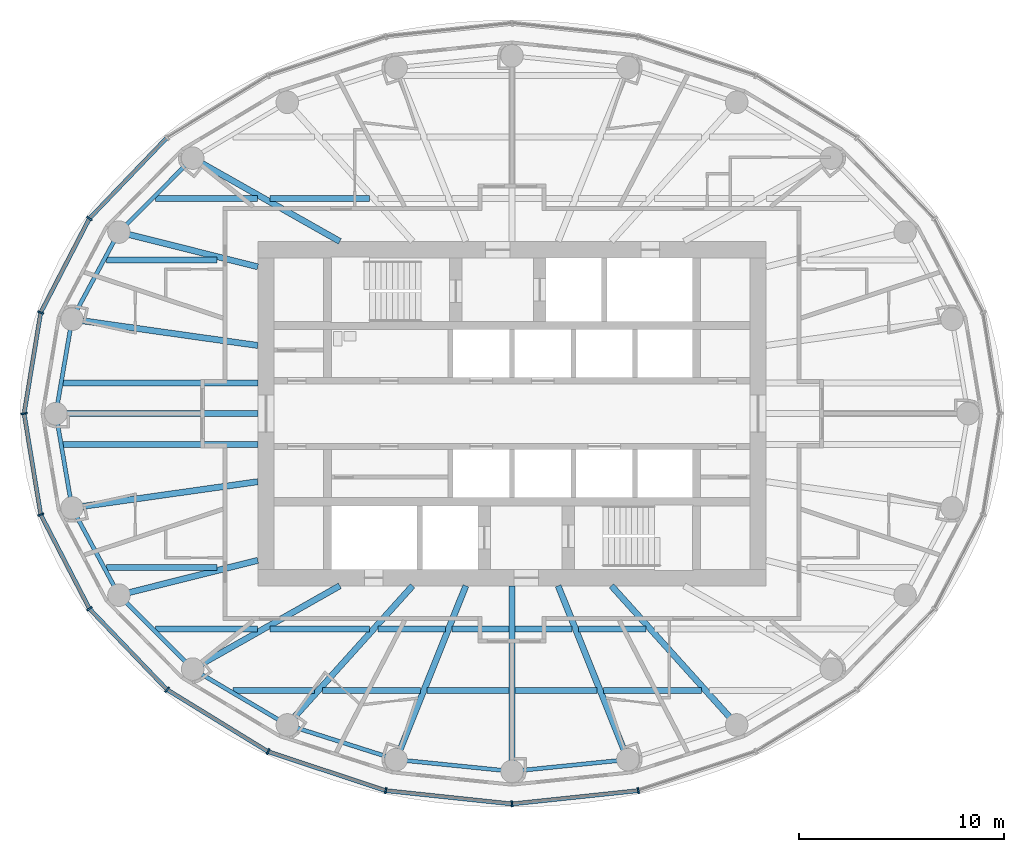
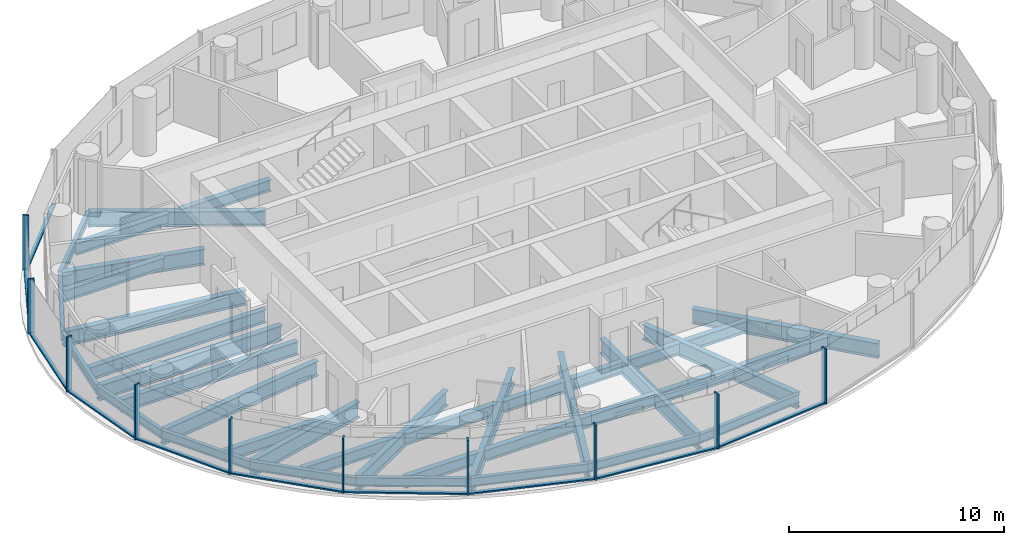
# One storey, part 2 of 16: 39 beams, 20 members, 3 elements without a shape of their own.
"""IFC4 building model written with IfcOpenShell, lengths in metres."""

from ifc_helpers import new_model, si_unit, direction, frame, origin, origin_2d, place, context, subcontext, project, spatial, rectangle, i_section, extrude, material, material_profile, profile_set, type_object, element, aggregate, save


model = new_model("IFC4")

# Units and contexts
model_context = context("Model", 3, precision=1e-05, world=origin(), true_north=direction((0.0, 1.0)))
body_context = subcontext(model_context, "Body", "Model", "MODEL_VIEW")
ifc_project = project(units=[si_unit("LENGTHUNIT", "METRE"), si_unit("AREAUNIT", "SQUARE_METRE"), si_unit("VOLUMEUNIT", "CUBIC_METRE"), si_unit("PLANEANGLEUNIT", "RADIAN"), si_unit("MASSUNIT", "GRAM", prefix="KILO")], contexts=[model_context])

# Site, building, storey
site_placement = place(None, origin())
site = spatial("IfcSite", under=ifc_project, at=site_placement, CompositionType="ELEMENT")
building_placement = place(site_placement, origin())
building = spatial("IfcBuilding", under=site, at=building_placement, Name="Hankou Lantern Tower", CompositionType="ELEMENT")
storey_placement = place(building_placement, frame((0.0, 0.0, 146.699951171875)))
storey = spatial("IfcBuildingStorey", under=building, at=storey_placement, Name="L38", CompositionType="ELEMENT", Elevation=146.699951171875)

# Beams
ifc_material_1 = material(Name="Steel Q355B", Category="steel")
ifc_material_profile_1 = material_profile(ifc_material_1, i_section(OverallWidth=0.199951171875, OverallDepth=0.5, WebThickness=0.010009765625, FlangeThickness=0.01611328125, FilletRadius=0.012939453125, at=origin_2d()), Name="HN500x200x10x16")
ifc_profile_set_1 = profile_set([ifc_material_profile_1], Name="Steel Q355B")
beam_type_1 = type_object("IfcBeamType", Name="EB5 RING BEAM HN500x200x10x16", PredefinedType="SPANDREL", material=ifc_profile_set_1)
beam_1_placement = place(storey_placement, frame((-15.576171875, 12.4609375, -0.429931640625), z_axis=(-0.706147278092, -0.708064984054, 0.0), x_axis=(0.708064984054, -0.706147278092, 0.0)))
element("IfcBeam", 1, at=beam_1_placement, inside=storey, type_object=beam_type_1, Name="Ring beam R10-R11 L38", PredefinedType="SPANDREL", context=body_context, shape_type="SweptSolid", body=[
    extrude(i_section(OverallWidth=0.199951171875, OverallDepth=0.5, WebThickness=0.010009765625, FlangeThickness=0.01611328125, FilletRadius=0.012939453125, at=origin_2d()), origin(), (0.0, 0.0, 1.0), 5.09228515625),
])
beam_2_placement = place(storey_placement, frame((-19.172119140625, 8.855224609375, -0.429931640625), z_axis=(-0.474051612334, -0.880497057828, 0.0), x_axis=(0.880497057828, -0.474051612334, 0.0)))
element("IfcBeam", 2, at=beam_2_placement, inside=storey, type_object=beam_type_1, Name="Ring beam R11-R12 L38", PredefinedType="SPANDREL", context=body_context, shape_type="SweptSolid", body=[
    extrude(i_section(OverallWidth=0.199951171875, OverallDepth=0.5, WebThickness=0.010009765625, FlangeThickness=0.01611328125, FilletRadius=0.012939453125, at=origin_2d()), origin(), (0.0, 0.0, 1.0), 4.831787109375),
])
for number, where, z_axis, x_axis, name in (
    (3, (-21.462646484375, 4.600830078125, -0.429931640625), (-0.168680718946, -0.985670743735, 0.0), (0.985670743735, -0.168680718946, 0.0), "Ring beam R12-R13 L38"),
    (4, (-22.25, 0.0, -0.429931640625), (0.168680718946, -0.985670743735, 0.0), (0.985670743735, 0.168680718946, 0.0), "Ring beam R13-R14 L38"),
):
    element("IfcBeam", number, at=place(storey_placement, frame(where, z_axis=z_axis, x_axis=x_axis)), inside=storey, type_object=beam_type_1, Name=name, PredefinedType="SPANDREL", context=body_context, shape_type="SweptSolid", body=[
        extrude(i_section(OverallWidth=0.199951171875, OverallDepth=0.5, WebThickness=0.010009765625, FlangeThickness=0.01611328125, FilletRadius=0.012939453125, at=origin_2d()), origin(), (0.0, 0.0, 1.0), 4.667724609375),
    ])
beam_3_placement = place(storey_placement, frame((-21.462646484375, -4.600830078125, -0.429931640625), z_axis=(0.474051612334, -0.880497057828, 0.0), x_axis=(0.880497057828, 0.474051612334, 0.0)))
element("IfcBeam", 5, at=beam_3_placement, inside=storey, type_object=beam_type_1, Name="Ring beam R14-R15 L38", PredefinedType="SPANDREL", context=body_context, shape_type="SweptSolid", body=[
    extrude(i_section(OverallWidth=0.199951171875, OverallDepth=0.5, WebThickness=0.010009765625, FlangeThickness=0.01611328125, FilletRadius=0.012939453125, at=origin_2d()), origin(), (0.0, 0.0, 1.0), 4.831787109375),
])
beam_4_placement = place(storey_placement, frame((-19.172119140625, -8.855224609375, -0.429931640625), z_axis=(0.706147278092, -0.708064984054, 0.0), x_axis=(0.708064984054, 0.706147278092, 0.0)))
element("IfcBeam", 6, at=beam_4_placement, inside=storey, type_object=beam_type_1, Name="Ring beam R15-R16 L38", PredefinedType="SPANDREL", context=body_context, shape_type="SweptSolid", body=[
    extrude(i_section(OverallWidth=0.199951171875, OverallDepth=0.5, WebThickness=0.010009765625, FlangeThickness=0.01611328125, FilletRadius=0.012939453125, at=origin_2d()), origin(), (0.0, 0.0, 1.0), 5.09228515625),
])
beam_5_placement = place(storey_placement, frame((-15.576171875, -12.4609375, -0.429931640625), z_axis=(0.861135888339, -0.508374843806, 0.0), x_axis=(0.508374843806, 0.861135888339, 0.0)))
element("IfcBeam", 7, at=beam_5_placement, inside=storey, type_object=beam_type_1, Name="Ring beam R16-R17 L38", PredefinedType="SPANDREL", context=body_context, shape_type="SweptSolid", body=[
    extrude(i_section(OverallWidth=0.199951171875, OverallDepth=0.5, WebThickness=0.010009765625, FlangeThickness=0.01611328125, FilletRadius=0.012939453125, at=origin_2d()), origin(), (0.0, 0.0, 1.0), 5.36083984375),
])
beam_6_placement = place(storey_placement, frame((-10.959716796875, -15.186279296875, -0.429931640625), z_axis=(0.952790404271, -0.30362879562, 0.0), x_axis=(0.30362879562, 0.952790404271, 0.0)))
element("IfcBeam", 8, at=beam_6_placement, inside=storey, type_object=beam_type_1, Name="Ring beam R17-R18 L38", PredefinedType="SPANDREL", context=body_context, shape_type="SweptSolid", body=[
    extrude(i_section(OverallWidth=0.199951171875, OverallDepth=0.5, WebThickness=0.010009765625, FlangeThickness=0.01611328125, FilletRadius=0.012939453125, at=origin_2d()), origin(), (0.0, 0.0, 1.0), 5.56982421875),
])
for number, where, z_axis, x_axis, name in (
    (9, (-5.65283203125, -16.87744140625, -0.429931640625), (0.9949104636, -0.100762936734, 0.0), (0.100762936734, 0.9949104636, 0.0), "Ring beam R18-R19 L38"),
    (10, (0.0, -17.449951171875, -0.429931640625), (0.9949104636, 0.100762936734, 0.0), (-0.100762936734, 0.9949104636, 0.0), "Ring beam R19-R20 L38"),
):
    element("IfcBeam", number, at=place(storey_placement, frame(where, z_axis=z_axis, x_axis=x_axis)), inside=storey, type_object=beam_type_1, Name=name, PredefinedType="SPANDREL", context=body_context, shape_type="SweptSolid", body=[
        extrude(i_section(OverallWidth=0.199951171875, OverallDepth=0.5, WebThickness=0.010009765625, FlangeThickness=0.01611328125, FilletRadius=0.012939453125, at=origin_2d()), origin(), (0.0, 0.0, 1.0), 5.681640625),
    ])

# Curtain wall, members
ifc_material_2 = material(Name="Glass, dark grey tinted laminated", Category="glass")
curtain_wall_type = type_object("IfcCurtainWallType", Name="CWC OUTER SKIN HIGH-RISE", PredefinedType="USERDEFINED", material=ifc_material_2)
curtain_wall_1_placement = place(storey_placement, origin())
curtain_wall_1 = element("IfcCurtainWall", 11, at=curtain_wall_1_placement, inside=storey, type_object=curtain_wall_type, Name="CWC L38 OS2", ObjectType="OUTER SKIN HIGH-RISE", PredefinedType="USERDEFINED")
ifc_material_3 = material(Name="Aluminium, black anodised", Category="aluminium")
ifc_material_profile_2 = material_profile(ifc_material_3, rectangle(XDim=0.080078125, YDim=0.300048828125, at=origin_2d()), Name="MU1 80X300")
ifc_profile_set_2 = profile_set([ifc_material_profile_2], Name="Aluminium, black anodised")
member_type_1 = type_object("IfcMemberType", Name="MU1 OUTER SKIN MULLION 80X300", PredefinedType="MULLION", material=ifc_profile_set_2)
member_1_placement = place(storey_placement, frame((-20.611328125, 9.52001953125, 0.0), z_axis=(0.0, 0.0, 1.0), x_axis=(-0.585205735974, -0.810884854084, 0.0)))
member_1 = element("IfcMember", 12, at=member_1_placement, type_object=member_type_1, Name="CWC mullion 5", PredefinedType="MULLION", context=body_context, shape_type="SweptSolid", body=[
    extrude(rectangle(XDim=0.080078125, YDim=0.300048828125, at=origin_2d()), origin(), (0.0, 0.0, 1.0), 3.1201171875),
])
member_2_placement = place(storey_placement, frame((-22.989013671875, 4.927978515625, 0.0), z_axis=(0.0, 0.0, 1.0), x_axis=(-0.317595577365, -0.94822626479, 0.0)))
member_2 = element("IfcMember", 13, at=member_2_placement, type_object=member_type_1, Name="CWC mullion 6", PredefinedType="MULLION", context=body_context, shape_type="SweptSolid", body=[
    extrude(rectangle(XDim=0.080078125, YDim=0.300048828125, at=origin_2d()), origin(), (0.0, 0.0, 1.0), 3.1201171875),
])

curtain_wall_2_placement = place(storey_placement, origin())
curtain_wall_2 = element("IfcCurtainWall", 14, at=curtain_wall_2_placement, inside=storey, type_object=curtain_wall_type, Name="CWC L38 OS3", ObjectType="OUTER SKIN HIGH-RISE", PredefinedType="USERDEFINED")
member_3_placement = place(storey_placement, frame((-23.800048828125, 0.0, 0.0), z_axis=(0.0, 0.0, 1.0), x_axis=(0.162381515188, -0.986728049427, 0.0)))
member_3 = element("IfcMember", 15, at=member_3_placement, type_object=member_type_1, Name="CWC mullion 1", PredefinedType="MULLION", context=body_context, shape_type="SweptSolid", body=[
    extrude(rectangle(XDim=0.080078125, YDim=0.300048828125, at=origin_2d()), origin(), (0.0, 0.0, 1.0), 3.1201171875),
])
member_4_placement = place(storey_placement, frame((-22.989013671875, -4.927978515625, 0.0), z_axis=(0.0, 0.0, 1.0), x_axis=(0.317595577365, -0.94822626479, 0.0)))
member_4 = element("IfcMember", 16, at=member_4_placement, type_object=member_type_1, Name="CWC mullion 2", PredefinedType="MULLION", context=body_context, shape_type="SweptSolid", body=[
    extrude(rectangle(XDim=0.080078125, YDim=0.300048828125, at=origin_2d()), origin(), (0.0, 0.0, 1.0), 3.1201171875),
])
member_5_placement = place(storey_placement, frame((-20.611328125, -9.52001953125, 0.0), z_axis=(0.0, 0.0, 1.0), x_axis=(0.585205735974, -0.810884854084, 0.0)))
member_5 = element("IfcMember", 17, at=member_5_placement, type_object=member_type_1, Name="CWC mullion 3", PredefinedType="MULLION", context=body_context, shape_type="SweptSolid", body=[
    extrude(rectangle(XDim=0.080078125, YDim=0.300048828125, at=origin_2d()), origin(), (0.0, 0.0, 1.0), 3.1201171875),
])
member_6_placement = place(storey_placement, frame((-16.8291015625, -13.46337890625, 0.0), z_axis=(0.0, 0.0, 1.0), x_axis=(0.780868809444, -0.624695047553, 0.0)))
member_6 = element("IfcMember", 18, at=member_6_placement, type_object=member_type_1, Name="CWC mullion 4", PredefinedType="MULLION", context=body_context, shape_type="SweptSolid", body=[
    extrude(rectangle(XDim=0.080078125, YDim=0.300048828125, at=origin_2d()), origin(), (0.0, 0.0, 1.0), 3.1201171875),
])
member_7_placement = place(storey_placement, frame((-11.89990234375, -16.489013671875, 0.0), z_axis=(0.0, 0.0, 1.0), x_axis=(0.907841299004, -0.419313934686, 0.0)))
member_7 = element("IfcMember", 19, at=member_7_placement, type_object=member_type_1, Name="CWC mullion 5", PredefinedType="MULLION", context=body_context, shape_type="SweptSolid", body=[
    extrude(rectangle(XDim=0.080078125, YDim=0.300048828125, at=origin_2d()), origin(), (0.0, 0.0, 1.0), 3.1201171875),
])
member_8_placement = place(storey_placement, frame((-6.159912109375, -18.39111328125, 0.0), z_axis=(0.0, 0.0, 1.0), x_axis=(0.977787659625, -0.209597931016, 0.0)))
member_8 = element("IfcMember", 20, at=member_8_placement, type_object=member_type_1, Name="CWC mullion 6", PredefinedType="MULLION", context=body_context, shape_type="SweptSolid", body=[
    extrude(rectangle(XDim=0.080078125, YDim=0.300048828125, at=origin_2d()), origin(), (0.0, 0.0, 1.0), 3.1201171875),
])

curtain_wall_3_placement = place(storey_placement, origin())
curtain_wall_3 = element("IfcCurtainWall", 21, at=curtain_wall_3_placement, inside=storey, type_object=curtain_wall_type, Name="CWC L38 OS4", ObjectType="OUTER SKIN HIGH-RISE", PredefinedType="USERDEFINED")
member_9_placement = place(storey_placement, frame((0.0, -19.0400390625, 0.0), z_axis=(0.0, 0.0, 1.0), x_axis=(0.994499359107, 0.104742659579, 0.0)))
member_9 = element("IfcMember", 22, at=member_9_placement, type_object=member_type_1, Name="CWC mullion 1", PredefinedType="MULLION", context=body_context, shape_type="SweptSolid", body=[
    extrude(rectangle(XDim=0.080078125, YDim=0.300048828125, at=origin_2d()), origin(), (0.0, 0.0, 1.0), 3.1201171875),
])
member_10_placement = place(storey_placement, frame((6.159912109375, -18.39111328125, 0.0), z_axis=(0.0, 0.0, 1.0), x_axis=(0.977787659625, 0.209597931016, 0.0)))
member_10 = element("IfcMember", 23, at=member_10_placement, type_object=member_type_1, Name="CWC mullion 2", PredefinedType="MULLION", context=body_context, shape_type="SweptSolid", body=[
    extrude(rectangle(XDim=0.080078125, YDim=0.300048828125, at=origin_2d()), origin(), (0.0, 0.0, 1.0), 3.1201171875),
])

# Beams
ifc_material_4 = material(Name="Steel Q355B", Category="steel")
ifc_material_profile_3 = material_profile(ifc_material_4, i_section(OverallWidth=0.300048828125, OverallDepth=0.85009765625, WebThickness=0.01611328125, FlangeThickness=0.027099609375, FilletRadius=0.01806640625, at=origin_2d()), Name="HN850x300x16x27")
ifc_profile_set_3 = profile_set([ifc_material_profile_3], Name="Steel Q355B")
beam_type_2 = type_object("IfcBeamType", Name="RB12 RADIAL BEAM HN850x300x16x27", PredefinedType="BEAM", material=ifc_profile_set_3)
beam_7_placement = place(storey_placement, frame((-8.39990234375, 8.39990234375, -0.60498046875), z_axis=(-0.870309058024, 0.492505983234, 0.0), x_axis=(-0.492505983234, -0.870309058024, 0.0)))
element("IfcBeam", 24, at=beam_7_placement, inside=storey, type_object=beam_type_2, Name="Radial beam R10 L38", PredefinedType="BEAM", context=body_context, shape_type="SweptSolid", body=[
    extrude(i_section(OverallWidth=0.300048828125, OverallDepth=0.85009765625, WebThickness=0.01611328125, FlangeThickness=0.027099609375, FilletRadius=0.01806640625, at=origin_2d()), origin(), (0.0, 0.0, 1.0), 8.24560546875),
])
beam_8_placement = place(storey_placement, frame((-12.39990234375, 3.322509765625, -0.60498046875), z_axis=(-0.990198154617, 0.13966966239, 0.0), x_axis=(-0.13966966239, -0.990198154617, 0.0)))
element("IfcBeam", 25, at=beam_8_placement, inside=storey, type_object=beam_type_2, Name="Radial beam R12 L38", PredefinedType="BEAM", context=body_context, shape_type="SweptSolid", body=[
    extrude(i_section(OverallWidth=0.300048828125, OverallDepth=0.85009765625, WebThickness=0.01611328125, FlangeThickness=0.027099609375, FilletRadius=0.01806640625, at=origin_2d()), origin(), (0.0, 0.0, 1.0), 9.15234375),
])
beam_9_placement = place(storey_placement, frame((-12.39990234375, 0.0, -0.60498046875), z_axis=(-1.0, 0.0, 0.0), x_axis=(0.0, -1.0, 0.0)))
element("IfcBeam", 26, at=beam_9_placement, inside=storey, type_object=beam_type_2, Name="Radial beam R13 L38", PredefinedType="BEAM", context=body_context, shape_type="SweptSolid", body=[
    extrude(i_section(OverallWidth=0.300048828125, OverallDepth=0.85009765625, WebThickness=0.01611328125, FlangeThickness=0.027099609375, FilletRadius=0.01806640625, at=origin_2d()), origin(), (0.0, 0.0, 1.0), 9.85009765625),
])
beam_10_placement = place(storey_placement, frame((-12.39990234375, -3.322509765625, -0.60498046875), z_axis=(-0.990198154617, -0.13966966239, 0.0), x_axis=(0.13966966239, -0.990198154617, 0.0)))
element("IfcBeam", 27, at=beam_10_placement, inside=storey, type_object=beam_type_2, Name="Radial beam R14 L38", PredefinedType="BEAM", context=body_context, shape_type="SweptSolid", body=[
    extrude(i_section(OverallWidth=0.300048828125, OverallDepth=0.85009765625, WebThickness=0.01611328125, FlangeThickness=0.027099609375, FilletRadius=0.01806640625, at=origin_2d()), origin(), (0.0, 0.0, 1.0), 9.15234375),
])
beam_11_placement = place(storey_placement, frame((-8.39990234375, -8.39990234375, -0.60498046875), z_axis=(-0.870309058024, -0.492505983234, 0.0), x_axis=(0.492505983234, -0.870309058024, 0.0)))
element("IfcBeam", 28, at=beam_11_placement, inside=storey, type_object=beam_type_2, Name="Radial beam R16 L38", PredefinedType="BEAM", context=body_context, shape_type="SweptSolid", body=[
    extrude(i_section(OverallWidth=0.300048828125, OverallDepth=0.85009765625, WebThickness=0.01611328125, FlangeThickness=0.027099609375, FilletRadius=0.01806640625, at=origin_2d()), origin(), (0.0, 0.0, 1.0), 8.24560546875),
])
beam_12_placement = place(storey_placement, frame((-4.849853515625, -8.39990234375, -0.60498046875), z_axis=(-0.669093231314, -0.743178476418, 0.0), x_axis=(0.743178476418, -0.669093231314, 0.0)))
element("IfcBeam", 29, at=beam_12_placement, inside=storey, type_object=beam_type_2, Name="Radial beam R17 L38", PredefinedType="BEAM", context=body_context, shape_type="SweptSolid", body=[
    extrude(i_section(OverallWidth=0.300048828125, OverallDepth=0.85009765625, WebThickness=0.01611328125, FlangeThickness=0.027099609375, FilletRadius=0.01806640625, at=origin_2d()), origin(), (0.0, 0.0, 1.0), 9.131591796875),
])
beam_13_placement = place(storey_placement, frame((-2.250732421875, -8.39990234375, -0.60498046875), z_axis=(-0.372436468133, -0.928057690666, 0.0), x_axis=(0.928057690666, -0.372436468133, 0.0)))
element("IfcBeam", 30, at=beam_13_placement, inside=storey, type_object=beam_type_2, Name="Radial beam R18 L38", PredefinedType="BEAM", context=body_context, shape_type="SweptSolid", body=[
    extrude(i_section(OverallWidth=0.300048828125, OverallDepth=0.85009765625, WebThickness=0.01611328125, FlangeThickness=0.027099609375, FilletRadius=0.01806640625, at=origin_2d()), origin(), (0.0, 0.0, 1.0), 9.134765625),
])
beam_14_placement = place(storey_placement, frame((0.0, -8.39990234375, -0.60498046875), z_axis=(0.0, -1.0, 0.0), x_axis=(1.0, 0.0, 0.0)))
element("IfcBeam", 31, at=beam_14_placement, inside=storey, type_object=beam_type_2, Name="Radial beam R19 L38", PredefinedType="BEAM", context=body_context, shape_type="SweptSolid", body=[
    extrude(i_section(OverallWidth=0.300048828125, OverallDepth=0.85009765625, WebThickness=0.01611328125, FlangeThickness=0.027099609375, FilletRadius=0.01806640625, at=origin_2d()), origin(), (0.0, 0.0, 1.0), 9.050048828125),
])
beam_15_placement = place(storey_placement, frame((2.250732421875, -8.39990234375, -0.60498046875), z_axis=(0.372436468133, -0.928057690666, 0.0), x_axis=(0.928057690666, 0.372436468133, 0.0)))
element("IfcBeam", 32, at=beam_15_placement, inside=storey, type_object=beam_type_2, Name="Radial beam R20 L38", PredefinedType="BEAM", context=body_context, shape_type="SweptSolid", body=[
    extrude(i_section(OverallWidth=0.300048828125, OverallDepth=0.85009765625, WebThickness=0.01611328125, FlangeThickness=0.027099609375, FilletRadius=0.01806640625, at=origin_2d()), origin(), (0.0, 0.0, 1.0), 9.134765625),
])
beam_16_placement = place(storey_placement, frame((4.849853515625, -8.39990234375, -0.60498046875), z_axis=(0.669093231314, -0.743178476418, 0.0), x_axis=(0.743178476418, 0.669093231314, 0.0)))
element("IfcBeam", 33, at=beam_16_placement, inside=storey, type_object=beam_type_2, Name="Radial beam R21 L38", PredefinedType="BEAM", context=body_context, shape_type="SweptSolid", body=[
    extrude(i_section(OverallWidth=0.300048828125, OverallDepth=0.85009765625, WebThickness=0.01611328125, FlangeThickness=0.027099609375, FilletRadius=0.01806640625, at=origin_2d()), origin(), (0.0, 0.0, 1.0), 9.131591796875),
])
ifc_material_5 = material(Name="Steel Q355B", Category="steel")
ifc_material_profile_4 = material_profile(ifc_material_5, i_section(OverallWidth=0.300048828125, OverallDepth=0.89990234375, WebThickness=0.01611328125, FlangeThickness=0.028076171875, FilletRadius=0.01806640625, at=origin_2d()), Name="HN900x300x16x28")
ifc_profile_set_4 = profile_set([ifc_material_profile_4], Name="Steel Q355B")
beam_type_3 = type_object("IfcBeamType", Name="RB13 RADIAL BEAM HN900x300x16x28", PredefinedType="BEAM", material=ifc_profile_set_4)
for number, where, z_axis, x_axis, name in (
    (34, (-12.39990234375, 7.1591796875, -0.6298828125), (-0.970041619568, 0.242938791274, 0.0), (-0.242938791274, -0.970041619568, 0.0), "Radial beam R11 L38"),
    (35, (-12.39990234375, -7.1591796875, -0.6298828125), (-0.970041619568, -0.242938791274, 0.0), (0.242938791274, -0.970041619568, 0.0), "Radial beam R15 L38"),
):
    element("IfcBeam", number, at=place(storey_placement, frame(where, z_axis=z_axis, x_axis=x_axis)), inside=storey, type_object=beam_type_3, Name=name, PredefinedType="BEAM", context=body_context, shape_type="SweptSolid", body=[
        extrude(i_section(OverallWidth=0.300048828125, OverallDepth=0.89990234375, WebThickness=0.01611328125, FlangeThickness=0.028076171875, FilletRadius=0.01806640625, at=origin_2d()), origin(), (0.0, 0.0, 1.0), 6.9814453125),
    ])
ifc_material_6 = material(Name="Steel Q355B", Category="steel")
ifc_material_profile_5 = material_profile(ifc_material_6, i_section(OverallWidth=0.300048828125, OverallDepth=0.75, WebThickness=0.012939453125, FlangeThickness=0.02392578125, FilletRadius=0.01806640625, at=origin_2d()), Name="HN750x300x13x24")
ifc_profile_set_5 = profile_set([ifc_material_profile_5], Name="Steel Q355B")
beam_type_4 = type_object("IfcBeamType", Name="SB10 SECONDARY BEAM HN750x300x13x24", PredefinedType="JOIST", material=ifc_profile_set_5)
for number, where, z_axis, x_axis, name in (
    (36, (-21.891845703125, -1.5, -0.554931640625), (1.0, 0.0, 0.0), (0.0, 1.0, 0.0), "Floor joist J019 L38"),
    (37, (-21.891845703125, 1.5, -0.554931640625), (1.0, 0.0, 0.0), (0.0, 1.0, 0.0), "Floor joist J021 L38"),
):
    element("IfcBeam", number, at=place(storey_placement, frame(where, z_axis=z_axis, x_axis=x_axis)), inside=storey, type_object=beam_type_4, Name=name, PredefinedType="JOIST", context=body_context, shape_type="SweptSolid", body=[
        extrude(i_section(OverallWidth=0.300048828125, OverallDepth=0.75, WebThickness=0.012939453125, FlangeThickness=0.02392578125, FilletRadius=0.01806640625, at=origin_2d()), origin(), (0.0, 0.0, 1.0), 9.491943359375),
    ])
ifc_material_7 = material(Name="Steel Q355B", Category="steel")
ifc_material_profile_6 = material_profile(ifc_material_7, i_section(OverallWidth=0.300048828125, OverallDepth=0.64990234375, WebThickness=0.010986328125, FlangeThickness=0.01708984375, FilletRadius=0.01806640625, at=origin_2d()), Name="HN650x300x11x17")
ifc_profile_set_6 = profile_set([ifc_material_profile_6], Name="Steel Q355B")
beam_type_5 = type_object("IfcBeamType", Name="SB8 SECONDARY BEAM HN650x300x11x17", PredefinedType="JOIST", material=ifc_profile_set_6)
beam_17_placement = place(storey_placement, frame((-13.619384765625, -13.5, -0.5048828125), z_axis=(1.0, 0.0, 0.0), x_axis=(0.0, 1.0, 0.0)))
element("IfcBeam", 38, at=beam_17_placement, inside=storey, type_object=beam_type_5, Name="Floor joist J001 L38", PredefinedType="JOIST", context=body_context, shape_type="SweptSolid", body=[
    extrude(i_section(OverallWidth=0.300048828125, OverallDepth=0.64990234375, WebThickness=0.010986328125, FlangeThickness=0.01708984375, FilletRadius=0.01806640625, at=origin_2d()), origin(), (0.0, 0.0, 1.0), 3.97607421875),
])
beam_18_placement = place(storey_placement, frame((-9.23974609375, -13.5, -0.5048828125), z_axis=(1.0, 0.0, 0.0), x_axis=(0.0, 1.0, 0.0)))
element("IfcBeam", 39, at=beam_18_placement, inside=storey, type_object=beam_type_5, Name="Floor joist J002 L38", PredefinedType="JOIST", context=body_context, shape_type="SweptSolid", body=[
    extrude(i_section(OverallWidth=0.300048828125, OverallDepth=0.64990234375, WebThickness=0.010986328125, FlangeThickness=0.01708984375, FilletRadius=0.01806640625, at=origin_2d()), origin(), (0.0, 0.0, 1.0), 4.780517578125),
])
for number, where, z_axis, x_axis, name in (
    (40, (-4.135986328125, -13.5, -0.5048828125), (1.0, 0.0, 0.0), (0.0, 1.0, 0.0), "Floor joist J003 L38"),
    (41, (0.14990234375, -13.5, -0.5048828125), (1.0, 0.0, 0.0), (0.0, 1.0, 0.0), "Floor joist J004 L38"),
):
    element("IfcBeam", number, at=place(storey_placement, frame(where, z_axis=z_axis, x_axis=x_axis)), inside=storey, type_object=beam_type_5, Name=name, PredefinedType="JOIST", context=body_context, shape_type="SweptSolid", body=[
        extrude(i_section(OverallWidth=0.300048828125, OverallDepth=0.64990234375, WebThickness=0.010986328125, FlangeThickness=0.01708984375, FilletRadius=0.01806640625, at=origin_2d()), origin(), (0.0, 0.0, 1.0), 3.986083984375),
    ])
beam_19_placement = place(storey_placement, frame((4.459228515625, -13.5, -0.5048828125), z_axis=(1.0, 0.0, 0.0), x_axis=(0.0, 1.0, 0.0)))
element("IfcBeam", 42, at=beam_19_placement, inside=storey, type_object=beam_type_5, Name="Floor joist J005 L38", PredefinedType="JOIST", context=body_context, shape_type="SweptSolid", body=[
    extrude(i_section(OverallWidth=0.300048828125, OverallDepth=0.64990234375, WebThickness=0.010986328125, FlangeThickness=0.01708984375, FilletRadius=0.01806640625, at=origin_2d()), origin(), (0.0, 0.0, 1.0), 4.780517578125),
])
beam_20_placement = place(storey_placement, frame((-17.390625, -10.5, -0.5048828125), z_axis=(1.0, 0.0, 0.0), x_axis=(0.0, 1.0, 0.0)))
element("IfcBeam", 43, at=beam_20_placement, inside=storey, type_object=beam_type_5, Name="Floor joist J007 L38", PredefinedType="JOIST", context=body_context, shape_type="SweptSolid", body=[
    extrude(i_section(OverallWidth=0.300048828125, OverallDepth=0.64990234375, WebThickness=0.010986328125, FlangeThickness=0.01708984375, FilletRadius=0.01806640625, at=origin_2d()), origin(), (0.0, 0.0, 1.0), 4.97509765625),
])
beam_21_placement = place(storey_placement, frame((-11.806396484375, -10.5, -0.5048828125), z_axis=(1.0, 0.0, 0.0), x_axis=(0.0, 1.0, 0.0)))
element("IfcBeam", 44, at=beam_21_placement, inside=storey, type_object=beam_type_5, Name="Floor joist J008 L38", PredefinedType="JOIST", context=body_context, shape_type="SweptSolid", body=[
    extrude(i_section(OverallWidth=0.300048828125, OverallDepth=0.64990234375, WebThickness=0.010986328125, FlangeThickness=0.01708984375, FilletRadius=0.01806640625, at=origin_2d()), origin(), (0.0, 0.0, 1.0), 4.864013671875),
])
beam_22_placement = place(storey_placement, frame((-6.53857421875, -10.5, -0.5048828125), z_axis=(1.0, 0.0, 0.0), x_axis=(0.0, 1.0, 0.0)))
element("IfcBeam", 45, at=beam_22_placement, inside=storey, type_object=beam_type_5, Name="Floor joist J009 L38", PredefinedType="JOIST", context=body_context, shape_type="SweptSolid", body=[
    extrude(i_section(OverallWidth=0.300048828125, OverallDepth=0.64990234375, WebThickness=0.010986328125, FlangeThickness=0.01708984375, FilletRadius=0.01806640625, at=origin_2d()), origin(), (0.0, 0.0, 1.0), 3.283447265625),
])
for number, where, z_axis, x_axis, name in (
    (46, (-2.931884765625, -10.5, -0.5048828125), (1.0, 0.0, 0.0), (0.0, 1.0, 0.0), "Floor joist J010 L38"),
    (47, (0.14990234375, -10.5, -0.5048828125), (1.0, 0.0, 0.0), (0.0, 1.0, 0.0), "Floor joist J011 L38"),
):
    element("IfcBeam", number, at=place(storey_placement, frame(where, z_axis=z_axis, x_axis=x_axis)), inside=storey, type_object=beam_type_5, Name=name, PredefinedType="JOIST", context=body_context, shape_type="SweptSolid", body=[
        extrude(i_section(OverallWidth=0.300048828125, OverallDepth=0.64990234375, WebThickness=0.010986328125, FlangeThickness=0.01708984375, FilletRadius=0.01806640625, at=origin_2d()), origin(), (0.0, 0.0, 1.0), 2.781982421875),
    ])
beam_23_placement = place(storey_placement, frame((3.255126953125, -10.5, -0.5048828125), z_axis=(1.0, 0.0, 0.0), x_axis=(0.0, 1.0, 0.0)))
element("IfcBeam", 48, at=beam_23_placement, inside=storey, type_object=beam_type_5, Name="Floor joist J012 L38", PredefinedType="JOIST", context=body_context, shape_type="SweptSolid", body=[
    extrude(i_section(OverallWidth=0.300048828125, OverallDepth=0.64990234375, WebThickness=0.010986328125, FlangeThickness=0.01708984375, FilletRadius=0.01806640625, at=origin_2d()), origin(), (0.0, 0.0, 1.0), 3.283447265625),
])
for number, where, z_axis, x_axis, name in (
    (49, (-19.788330078125, -7.5, -0.5048828125), (1.0, 0.0, 0.0), (0.0, 1.0, 0.0), "Floor joist J015 L38"),
    (50, (-19.788330078125, 7.5, -0.5048828125), (1.0, 0.0, 0.0), (0.0, 1.0, 0.0), "Floor joist J025 L38"),
):
    element("IfcBeam", number, at=place(storey_placement, frame(where, z_axis=z_axis, x_axis=x_axis)), inside=storey, type_object=beam_type_5, Name=name, PredefinedType="JOIST", context=body_context, shape_type="SweptSolid", body=[
        extrude(i_section(OverallWidth=0.300048828125, OverallDepth=0.64990234375, WebThickness=0.010986328125, FlangeThickness=0.01708984375, FilletRadius=0.01806640625, at=origin_2d()), origin(), (0.0, 0.0, 1.0), 5.409912109375),
    ])
beam_24_placement = place(storey_placement, frame((-17.390625, 10.5, -0.5048828125), z_axis=(1.0, 0.0, 0.0), x_axis=(0.0, 1.0, 0.0)))
element("IfcBeam", 51, at=beam_24_placement, inside=storey, type_object=beam_type_5, Name="Floor joist J027 L38", PredefinedType="JOIST", context=body_context, shape_type="SweptSolid", body=[
    extrude(i_section(OverallWidth=0.300048828125, OverallDepth=0.64990234375, WebThickness=0.010986328125, FlangeThickness=0.01708984375, FilletRadius=0.01806640625, at=origin_2d()), origin(), (0.0, 0.0, 1.0), 4.97509765625),
])
beam_25_placement = place(storey_placement, frame((-11.806396484375, 10.5, -0.5048828125), z_axis=(1.0, 0.0, 0.0), x_axis=(0.0, 1.0, 0.0)))
element("IfcBeam", 52, at=beam_25_placement, inside=storey, type_object=beam_type_5, Name="Floor joist J028 L38", PredefinedType="JOIST", context=body_context, shape_type="SweptSolid", body=[
    extrude(i_section(OverallWidth=0.300048828125, OverallDepth=0.64990234375, WebThickness=0.010986328125, FlangeThickness=0.01708984375, FilletRadius=0.01806640625, at=origin_2d()), origin(), (0.0, 0.0, 1.0), 4.864013671875),
])

# Member
ifc_material_8 = material(Name="Aluminium, black anodised", Category="aluminium")
ifc_material_profile_7 = material_profile(ifc_material_8, rectangle(XDim=0.199951171875, YDim=0.080078125, at=origin_2d()), Name="TR1 200X80")
ifc_profile_set_7 = profile_set([ifc_material_profile_7], Name="Aluminium, black anodised")
member_type_2 = type_object("IfcMemberType", Name="TR1 OUTER SKIN TRANSOM 200X80", PredefinedType="USERDEFINED", material=ifc_profile_set_7)
member_11_placement = place(storey_placement, frame((-16.85693359375, 13.434326171875, 0.0400390625), z_axis=(-0.692215543831, -0.721690820836, 0.0), x_axis=(0.721690820836, -0.692215543831, 0.0)))
member_11 = element("IfcMember", 53, at=member_11_placement, type_object=member_type_2, Name="CWC transom 4", ObjectType="TRANSOM", PredefinedType="USERDEFINED", context=body_context, shape_type="SweptSolid", body=[
    extrude(rectangle(XDim=0.199951171875, YDim=0.080078125, at=origin_2d()), origin(), (0.0, 0.0, 1.0), 5.3837890625),
])

member_12_placement = place(storey_placement, frame((-20.6298828125, 9.484375, 0.0400390625), z_axis=(-0.459790772977, -0.888027277219, 0.0), x_axis=(0.888027277219, -0.459790772977, 0.0)))
member_12 = element("IfcMember", 54, at=member_12_placement, type_object=member_type_2, Name="CWC transom 5", ObjectType="TRANSOM", PredefinedType="USERDEFINED", context=body_context, shape_type="SweptSolid", body=[
    extrude(rectangle(XDim=0.199951171875, YDim=0.080078125, at=origin_2d()), origin(), (0.0, 0.0, 1.0), 5.091064453125),
])

member_13_placement = place(storey_placement, frame((-22.99560546875, 4.888427734375, 0.0400390625), z_axis=(-0.162360337061, -0.986731534385, 0.0), x_axis=(0.986731534385, -0.162360337061, 0.0)))
member_13 = element("IfcMember", 55, at=member_13_placement, type_object=member_type_2, Name="CWC transom 6", ObjectType="TRANSOM", PredefinedType="USERDEFINED", context=body_context, shape_type="SweptSolid", body=[
    extrude(rectangle(XDim=0.199951171875, YDim=0.080078125, at=origin_2d()), origin(), (0.0, 0.0, 1.0), 4.9140625),
])

aggregate(curtain_wall_1, [member_1, member_2, member_11, member_12, member_13])

member_14_placement = place(storey_placement, frame((-23.79345703125, -0.03955078125, 0.0400390625), z_axis=(0.162360337061, -0.986731534385, 0.0), x_axis=(0.986731534385, 0.162360337061, 0.0)))
member_14 = element("IfcMember", 56, at=member_14_placement, type_object=member_type_2, Name="CWC transom 1", ObjectType="TRANSOM", PredefinedType="USERDEFINED", context=body_context, shape_type="SweptSolid", body=[
    extrude(rectangle(XDim=0.199951171875, YDim=0.080078125, at=origin_2d()), origin(), (0.0, 0.0, 1.0), 4.9140625),
])

member_15_placement = place(storey_placement, frame((-22.970703125, -4.96337890625, 0.0400390625), z_axis=(0.459790772977, -0.888027277219, 0.0), x_axis=(0.888027277219, 0.459790772977, 0.0)))
member_15 = element("IfcMember", 57, at=member_15_placement, type_object=member_type_2, Name="CWC transom 2", ObjectType="TRANSOM", PredefinedType="USERDEFINED", context=body_context, shape_type="SweptSolid", body=[
    extrude(rectangle(XDim=0.199951171875, YDim=0.080078125, at=origin_2d()), origin(), (0.0, 0.0, 1.0), 5.091064453125),
])

member_16_placement = place(storey_placement, frame((-20.583740234375, -9.548828125, 0.0400390625), z_axis=(0.692215543831, -0.721690820836, 0.0), x_axis=(0.721690820836, 0.692215543831, 0.0)))
member_16 = element("IfcMember", 58, at=member_16_placement, type_object=member_type_2, Name="CWC transom 3", ObjectType="TRANSOM", PredefinedType="USERDEFINED", context=body_context, shape_type="SweptSolid", body=[
    extrude(rectangle(XDim=0.199951171875, YDim=0.080078125, at=origin_2d()), origin(), (0.0, 0.0, 1.0), 5.3837890625),
])

member_17_placement = place(storey_placement, frame((-16.795166015625, -13.484130859375, 0.0400390625), z_axis=(0.852229482357, -0.523168146394, 0.0), x_axis=(0.523168146394, 0.852229482357, 0.0)))
member_17 = element("IfcMember", 59, at=member_17_placement, type_object=member_type_2, Name="CWC transom 4", ObjectType="TRANSOM", PredefinedType="USERDEFINED", context=body_context, shape_type="SweptSolid", body=[
    extrude(rectangle(XDim=0.199951171875, YDim=0.080078125, at=origin_2d()), origin(), (0.0, 0.0, 1.0), 5.703857421875),
])

member_18_placement = place(storey_placement, frame((-11.862060546875, -16.501708984375, 0.0400390625), z_axis=(0.949242327551, -0.314545709849, 0.0), x_axis=(0.314545709849, 0.949242327551, 0.0)))
member_18 = element("IfcMember", 60, at=member_18_placement, type_object=member_type_2, Name="CWC transom 5", ObjectType="TRANSOM", PredefinedType="USERDEFINED", context=body_context, shape_type="SweptSolid", body=[
    extrude(rectangle(XDim=0.199951171875, YDim=0.080078125, at=origin_2d()), origin(), (0.0, 0.0, 1.0), 5.96728515625),
])

member_19_placement = place(storey_placement, frame((-6.1201171875, -18.3955078125, 0.0400390625), z_axis=(0.994499543631, -0.104740907567, 0.0), x_axis=(0.104740907567, 0.994499543631, 0.0)))
member_19 = element("IfcMember", 61, at=member_19_placement, type_object=member_type_2, Name="CWC transom 6", ObjectType="TRANSOM", PredefinedType="USERDEFINED", context=body_context, shape_type="SweptSolid", body=[
    extrude(rectangle(XDim=0.199951171875, YDim=0.080078125, at=origin_2d()), origin(), (0.0, 0.0, 1.0), 6.114013671875),
])

aggregate(curtain_wall_2, [member_3, member_4, member_5, member_6, member_7, member_8, member_14, member_15, member_16, member_17, member_18, member_19])

member_20_placement = place(storey_placement, frame((0.039794921875, -19.035888671875, 0.0400390625), z_axis=(0.994499543631, 0.104740907567, 0.0), x_axis=(-0.104740907567, 0.994499543631, 0.0)))
member_20 = element("IfcMember", 62, at=member_20_placement, type_object=member_type_2, Name="CWC transom 1", ObjectType="TRANSOM", PredefinedType="USERDEFINED", context=body_context, shape_type="SweptSolid", body=[
    extrude(rectangle(XDim=0.199951171875, YDim=0.080078125, at=origin_2d()), origin(), (0.0, 0.0, 1.0), 6.114013671875),
])

aggregate(curtain_wall_3, [member_9, member_10, member_20])

save(model, "model.ifc")
